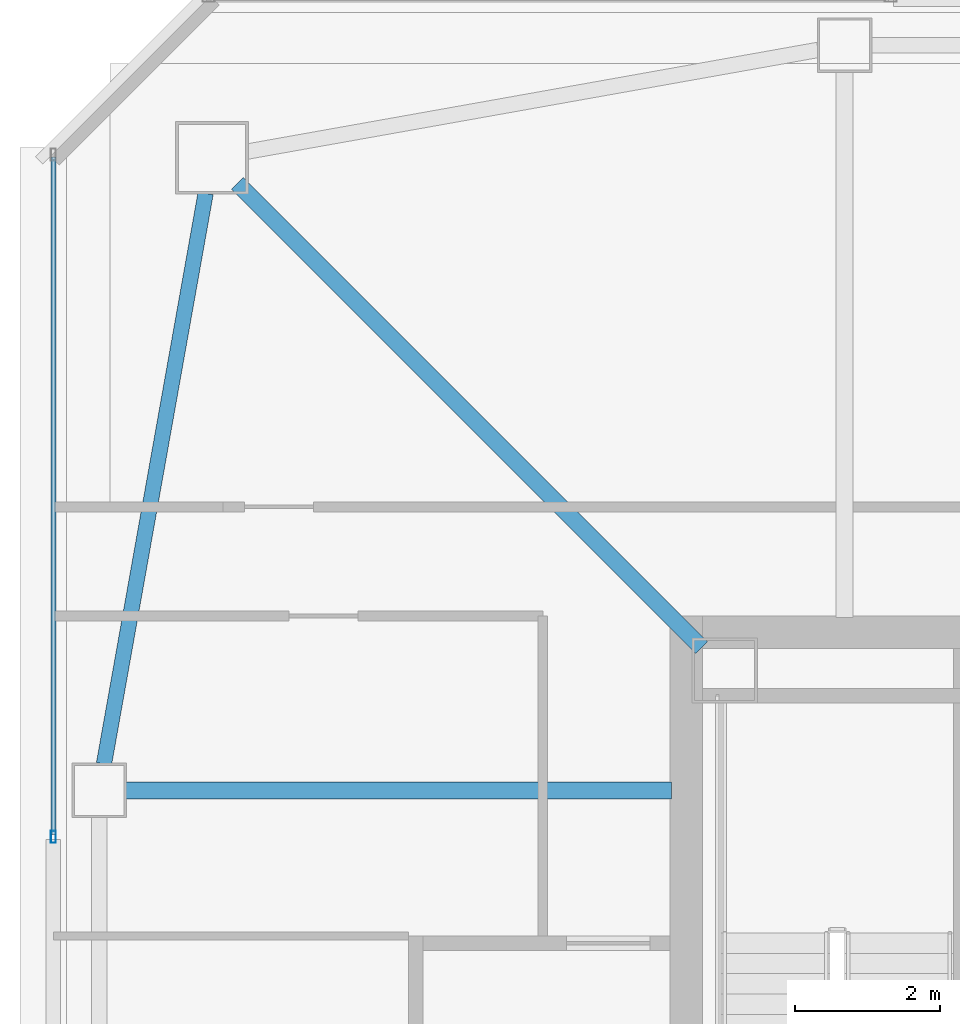
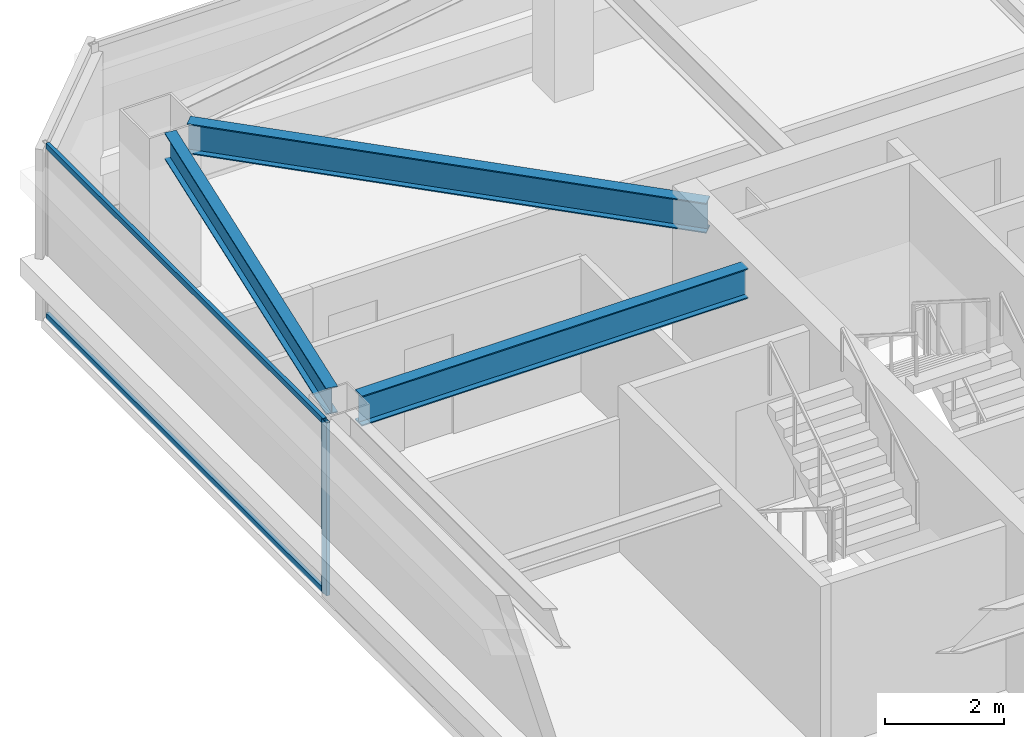
# One storey, part 8 of 39: 3 beams, 3 members, 1 element without a shape of its own.
"""IFC4 building model written with IfcOpenShell, lengths in metres."""

from ifc_helpers import new_model, si_unit, direction, frame, origin, origin_2d, place, context, subcontext, project, spatial, hollow_rectangle, i_section, extrude, material, material_profile, profile_set, type_object, element, aggregate, save


model = new_model("IFC4")

# Units and contexts
model_context = context("Model", 3, precision=1e-05, world=origin(), true_north=direction((0.0, 1.0)))
body_context = subcontext(model_context, "Body", "Model", "MODEL_VIEW")
ifc_project = project(units=[si_unit("LENGTHUNIT", "METRE"), si_unit("AREAUNIT", "SQUARE_METRE"), si_unit("VOLUMEUNIT", "CUBIC_METRE"), si_unit("PLANEANGLEUNIT", "RADIAN"), si_unit("MASSUNIT", "GRAM", prefix="KILO")], contexts=[model_context])

# Site, building, storey
site_placement = place(None, origin())
site = spatial("IfcSite", under=ifc_project, at=site_placement, CompositionType="ELEMENT")
building_placement = place(site_placement, origin())
building = spatial("IfcBuilding", under=site, at=building_placement, Name="Tashvorn Skyway Center", CompositionType="ELEMENT")
storey_placement = place(building_placement, frame((0.0, 0.0, 207.75)))
storey = spatial("IfcBuildingStorey", under=building, at=storey_placement, Name="L56", CompositionType="ELEMENT", Elevation=207.75)

# Beams
ifc_material_1 = material(Name="Steel ASTM A992 Grade 50", Category="steel")
ifc_material_profile_1 = material_profile(ifc_material_1, i_section(OverallWidth=0.22998046875, OverallDepth=0.616943359375, WebThickness=0.01318359375, FlangeThickness=0.022216796875, at=origin_2d()), Name="W24X94")
ifc_profile_set_1 = profile_set([ifc_material_profile_1], Name="Steel ASTM A992 Grade 50")
beam_type_1 = type_object("IfcBeamType", Name="BM-BEAM-W24X94", PredefinedType="BEAM", material=ifc_profile_set_1)
beam_1_placement = place(storey_placement, frame((28.25, 45.75, 3.0615234375), z_axis=(0.707106781187, -0.707106781187, 0.0), x_axis=(0.707106781187, 0.707106781187, 0.0)))
element("IfcBeam", 1, at=beam_1_placement, inside=storey, type_object=beam_type_1, Name="Tower 1 L56 Primary Floor Girder MC-NW", PredefinedType="BEAM", context=body_context, shape_type="SweptSolid", body=[
    extrude(i_section(OverallWidth=0.22998046875, OverallDepth=0.616943359375, WebThickness=0.01318359375, FlangeThickness=0.022216796875, at=origin_2d()), origin(), (0.0, 0.0, 1.0), 9.030029296875),
])
beam_2_placement = place(storey_placement, frame((26.719970703125, 37.39990234375, 3.0615234375), z_axis=(1.0, 0.0, 0.0), x_axis=(0.0, 1.0, 0.0)))
element("IfcBeam", 2, at=beam_2_placement, inside=storey, type_object=beam_type_1, Name="Tower 1 L56 Primary Floor Girder FC-W1", PredefinedType="BEAM", context=body_context, shape_type="SweptSolid", body=[
    extrude(i_section(OverallWidth=0.22998046875, OverallDepth=0.616943359375, WebThickness=0.01318359375, FlangeThickness=0.022216796875, at=origin_2d()), origin(), (0.0, 0.0, 1.0), 7.5),
])
ifc_material_profile_2 = material_profile(ifc_material_1, i_section(OverallWidth=0.2109375, OverallDepth=0.5390625, WebThickness=0.01171875, FlangeThickness=0.018798828125, at=origin_2d()), Name="W21X73")
ifc_profile_set_2 = profile_set([ifc_material_profile_2], Name="Steel ASTM A992 Grade 50")
beam_type_2 = type_object("IfcBeamType", Name="BM-SPANDREL-W21X73", PredefinedType="SPANDREL", material=ifc_profile_set_2)
beam_3_placement = place(storey_placement, frame((27.813232421875, 45.61279296875, 3.1005859375), z_axis=(-0.17541329759, -0.984494883191, 0.0), x_axis=(0.984494883191, -0.17541329759, 0.0)))
element("IfcBeam", 3, at=beam_3_placement, inside=storey, type_object=beam_type_2, Name="Tower 1 L56 Spandrel Beam 10", PredefinedType="SPANDREL", context=body_context, shape_type="SweptSolid", body=[
    extrude(i_section(OverallWidth=0.2109375, OverallDepth=0.5390625, WebThickness=0.01171875, FlangeThickness=0.018798828125, at=origin_2d()), origin(), (0.0, 0.0, 1.0), 7.97216796875),
])

# Curtain wall, members
ifc_material_2 = material(Name="Thermally broken bronze-anodized aluminium 6063-T6", Category="aluminium")
curtain_wall_type = type_object("IfcCurtainWallType", Name="CW-CW-Z5", PredefinedType="NOTDEFINED", material=ifc_material_2)
curtain_wall_placement = place(storey_placement, origin())
curtain_wall = element("IfcCurtainWall", 4, at=curtain_wall_placement, inside=storey, type_object=curtain_wall_type, Name="Tower 1 L56 West Unitised Curtain Wall Glazing Group 2", PredefinedType="NOTDEFINED")
ifc_material_profile_3 = material_profile(ifc_material_2, hollow_rectangle(XDim=0.070068359375, YDim=0.1650390625, WallThickness=0.00390625, at=origin_2d()), Name="ALU-MULL-70x165")
ifc_profile_set_3 = profile_set([ifc_material_profile_3], Name="Thermally broken bronze-anodized aluminium 6063-T6")
member_type_1 = type_object("IfcMemberType", Name="CWM-CW-Z5", PredefinedType="MULLION", material=ifc_profile_set_3)
member_1_placement = place(storey_placement, frame((25.719970703125, 36.76171875, 0.0), z_axis=(0.0, 0.0, 1.0), x_axis=(-1.0, 0.0, 0.0)))
member_1 = element("IfcMember", 5, at=member_1_placement, type_object=member_type_1, Name="CW-Z5 mullion 1", PredefinedType="MULLION", context=body_context, shape_type="SweptSolid", body=[
    extrude(hollow_rectangle(XDim=0.070068359375, YDim=0.1650390625, WallThickness=0.00390625, at=origin_2d()), origin(), (0.0, 0.0, 1.0), 3.550048828125),
])
ifc_material_profile_4 = material_profile(ifc_material_2, hollow_rectangle(XDim=0.070068359375, YDim=0.114990234375, WallThickness=0.00390625, at=origin_2d()), Name="ALU-TRAN-70x115")
ifc_profile_set_4 = profile_set([ifc_material_profile_4], Name="Thermally broken bronze-anodized aluminium 6063-T6")
member_type_2 = type_object("IfcMemberType", Name="CWT-CW-Z5", PredefinedType="USERDEFINED", material=ifc_profile_set_4)
member_2_placement = place(storey_placement, frame((25.719970703125, 36.796630859375, 0.034912109375), z_axis=(0.0, 1.0, 0.0), x_axis=(-1.0, 0.0, 0.0)))
member_2 = element("IfcMember", 6, at=member_2_placement, type_object=member_type_2, Name="CW-Z5 transom 1.1", ObjectType="TRANSOM", PredefinedType="USERDEFINED", context=body_context, shape_type="SweptSolid", body=[
    extrude(hollow_rectangle(XDim=0.070068359375, YDim=0.114990234375, WallThickness=0.00390625, at=origin_2d()), origin(), (0.0, 0.0, 1.0), 9.3134765625),
])
member_3_placement = place(storey_placement, frame((25.719970703125, 36.796630859375, 3.514892578125), z_axis=(0.0, 1.0, 0.0), x_axis=(-1.0, 0.0, 0.0)))
member_3 = element("IfcMember", 7, at=member_3_placement, type_object=member_type_2, Name="CW-Z5 transom 1.2", ObjectType="TRANSOM", PredefinedType="USERDEFINED", context=body_context, shape_type="SweptSolid", body=[
    extrude(hollow_rectangle(XDim=0.070068359375, YDim=0.114990234375, WallThickness=0.00390625, at=origin_2d()), origin(), (0.0, 0.0, 1.0), 9.3134765625),
])
aggregate(curtain_wall, [member_1, member_2, member_3])

save(model, "model.ifc")
